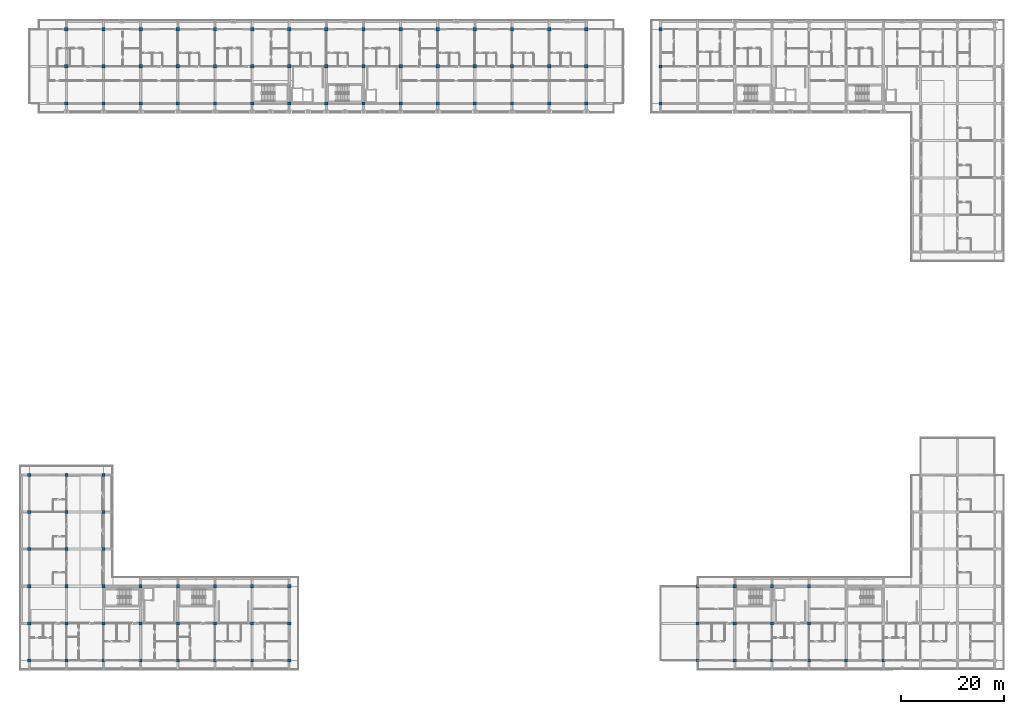
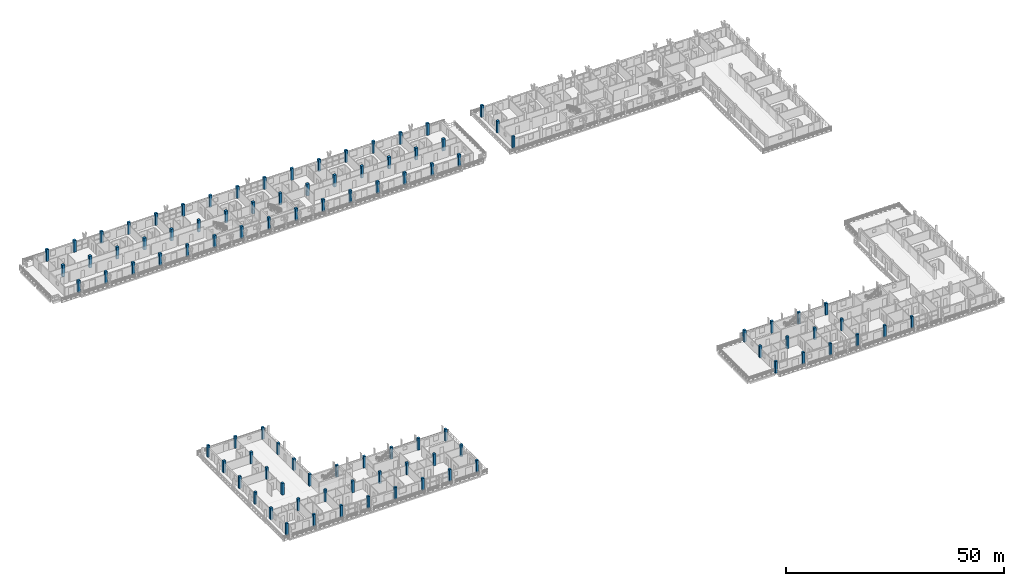
# One storey, part 1 of 75: 95 columns.
"""IFC4 building model written with IfcOpenShell, lengths in metres."""

from ifc_helpers import new_model, si_unit, direction, frame, origin, origin_2d, place, context, subcontext, project, spatial, rectangle, extrude, material, material_profile, profile_set, type_object, element, save


model = new_model("IFC4")

# Units and contexts
model_context = context("Model", 3, precision=1e-05, world=origin(), true_north=direction((0.0, 1.0)))
body_context = subcontext(model_context, "Body", "Model", "MODEL_VIEW")
ifc_project = project(units=[si_unit("LENGTHUNIT", "METRE"), si_unit("AREAUNIT", "SQUARE_METRE"), si_unit("VOLUMEUNIT", "CUBIC_METRE"), si_unit("PLANEANGLEUNIT", "RADIAN"), si_unit("MASSUNIT", "GRAM", prefix="KILO")], contexts=[model_context])

# Site, building, storey
site_placement = place(None, origin())
site = spatial("IfcSite", under=ifc_project, at=site_placement, CompositionType="ELEMENT")
building_placement = place(site_placement, origin())
building = spatial("IfcBuilding", under=site, at=building_placement, Name="Suanplinth Sawtooth Commons", CompositionType="ELEMENT")
storey_placement = place(building_placement, frame((0.0, 0.0, 18.60009765625)))
storey = spatial("IfcBuildingStorey", under=building, at=storey_placement, Name="L05", CompositionType="ELEMENT", Elevation=18.60009765625)

# Columns
ifc_material = material(Name="Precast concrete C40/50", Category="concrete")
ifc_material_profile_1 = material_profile(ifc_material, rectangle(XDim=0.64990234375, YDim=0.64990234375, at=origin_2d()), Name="PC-COL 650x650")
ifc_profile_set_1 = profile_set([ifc_material_profile_1], Name="Precast concrete C40/50")
column_type_1 = type_object("IfcColumnType", Name="C-03", PredefinedType="COLUMN", material=ifc_profile_set_1)
for number, where, z_axis, x_axis, name in (
    (1, (7.199951171875, 108.0, 0.0), (0.0, 0.0, 1.0), (1.0, 0.0, 0.0), "Column L05 2/R"),
    (2, (7.199951171875, 115.199951171875, 0.0), (0.0, 0.0, 1.0), (1.0, 0.0, 0.0), "Column L05 2/S"),
    (3, (7.199951171875, 122.39990234375, 0.0), (0.0, 0.0, 1.0), (1.0, 0.0, 0.0), "Column L05 2/T"),
    (4, (14.39990234375, 108.0, 0.0), (0.0, 0.0, 1.0), (1.0, 0.0, 0.0), "Column L05 3/R"),
    (5, (14.39990234375, 115.199951171875, 0.0), (0.0, 0.0, 1.0), (1.0, 0.0, 0.0), "Column L05 3/S"),
    (6, (14.39990234375, 122.39990234375, 0.0), (0.0, 0.0, 1.0), (1.0, 0.0, 0.0), "Column L05 3/T"),
    (7, (21.60009765625, 108.0, 0.0), (0.0, 0.0, 1.0), (1.0, 0.0, 0.0), "Column L05 4/R"),
    (8, (21.60009765625, 115.199951171875, 0.0), (0.0, 0.0, 1.0), (1.0, 0.0, 0.0), "Column L05 4/S"),
    (9, (21.60009765625, 122.39990234375, 0.0), (0.0, 0.0, 1.0), (1.0, 0.0, 0.0), "Column L05 4/T"),
    (10, (28.800048828125, 108.0, 0.0), (0.0, 0.0, 1.0), (1.0, 0.0, 0.0), "Column L05 5/R"),
    (11, (28.800048828125, 115.199951171875, 0.0), (0.0, 0.0, 1.0), (1.0, 0.0, 0.0), "Column L05 5/S"),
    (12, (28.800048828125, 122.39990234375, 0.0), (0.0, 0.0, 1.0), (1.0, 0.0, 0.0), "Column L05 5/T"),
    (13, (36.0, 108.0, 0.0), (0.0, 0.0, 1.0), (1.0, 0.0, 0.0), "Column L05 6/R"),
    (14, (36.0, 115.199951171875, 0.0), (0.0, 0.0, 1.0), (1.0, 0.0, 0.0), "Column L05 6/S"),
    (15, (36.0, 122.39990234375, 0.0), (0.0, 0.0, 1.0), (1.0, 0.0, 0.0), "Column L05 6/T"),
    (16, (43.199951171875, 108.0, 0.0), (0.0, 0.0, 1.0), (1.0, 0.0, 0.0), "Column L05 7/R"),
    (17, (43.199951171875, 115.199951171875, 0.0), (0.0, 0.0, 1.0), (1.0, 0.0, 0.0), "Column L05 7/S"),
    (18, (43.199951171875, 122.39990234375, 0.0), (0.0, 0.0, 1.0), (1.0, 0.0, 0.0), "Column L05 7/T"),
    (19, (50.39990234375, 108.0, 0.0), (0.0, 0.0, 1.0), (1.0, 0.0, 0.0), "Column L05 8/R"),
    (20, (50.39990234375, 115.199951171875, 0.0), (0.0, 0.0, 1.0), (1.0, 0.0, 0.0), "Column L05 8/S"),
    (21, (50.39990234375, 122.39990234375, 0.0), (0.0, 0.0, 1.0), (1.0, 0.0, 0.0), "Column L05 8/T"),
    (22, (57.60009765625, 108.0, 0.0), (0.0, 0.0, 1.0), (1.0, 0.0, 0.0), "Column L05 9/R"),
    (23, (57.60009765625, 115.199951171875, 0.0), (0.0, 0.0, 1.0), (1.0, 0.0, 0.0), "Column L05 9/S"),
    (24, (57.60009765625, 122.39990234375, 0.0), (0.0, 0.0, 1.0), (1.0, 0.0, 0.0), "Column L05 9/T"),
    (25, (64.800048828125, 108.0, 0.0), (0.0, 0.0, 1.0), (1.0, 0.0, 0.0), "Column L05 10/R"),
    (26, (64.800048828125, 115.199951171875, 0.0), (0.0, 0.0, 1.0), (1.0, 0.0, 0.0), "Column L05 10/S"),
    (27, (64.800048828125, 122.39990234375, 0.0), (0.0, 0.0, 1.0), (1.0, 0.0, 0.0), "Column L05 10/T"),
    (28, (72.0, 108.0, 0.0), (0.0, 0.0, 1.0), (1.0, 0.0, 0.0), "Column L05 11/R"),
    (29, (72.0, 115.199951171875, 0.0), (0.0, 0.0, 1.0), (1.0, 0.0, 0.0), "Column L05 11/S"),
    (30, (72.0, 122.39990234375, 0.0), (0.0, 0.0, 1.0), (1.0, 0.0, 0.0), "Column L05 11/T"),
    (31, (79.199951171875, 108.0, 0.0), (0.0, 0.0, 1.0), (1.0, 0.0, 0.0), "Column L05 12/R"),
    (32, (79.199951171875, 115.199951171875, 0.0), (0.0, 0.0, 1.0), (1.0, 0.0, 0.0), "Column L05 12/S"),
    (33, (79.199951171875, 122.39990234375, 0.0), (0.0, 0.0, 1.0), (1.0, 0.0, 0.0), "Column L05 12/T"),
    (34, (86.39990234375, 108.0, 0.0), (0.0, 0.0, 1.0), (1.0, 0.0, 0.0), "Column L05 13/R"),
    (35, (86.39990234375, 115.199951171875, 0.0), (0.0, 0.0, 1.0), (1.0, 0.0, 0.0), "Column L05 13/S"),
    (36, (86.39990234375, 122.39990234375, 0.0), (0.0, 0.0, 1.0), (1.0, 0.0, 0.0), "Column L05 13/T"),
    (37, (93.60009765625, 108.0, 0.0), (0.0, 0.0, 1.0), (1.0, 0.0, 0.0), "Column L05 14/R"),
    (38, (93.60009765625, 115.199951171875, 0.0), (0.0, 0.0, 1.0), (1.0, 0.0, 0.0), "Column L05 14/S"),
    (39, (93.60009765625, 122.39990234375, 0.0), (0.0, 0.0, 1.0), (1.0, 0.0, 0.0), "Column L05 14/T"),
    (40, (100.800048828125, 108.0, 0.0), (0.0, 0.0, 1.0), (1.0, 0.0, 0.0), "Column L05 15/R"),
    (41, (100.800048828125, 115.199951171875, 0.0), (0.0, 0.0, 1.0), (1.0, 0.0, 0.0), "Column L05 15/S"),
    (42, (100.800048828125, 122.39990234375, 0.0), (0.0, 0.0, 1.0), (1.0, 0.0, 0.0), "Column L05 15/T"),
    (43, (108.0, 108.0, 0.0), (0.0, 0.0, 1.0), (1.0, 0.0, 0.0), "Column L05 16/R"),
    (44, (108.0, 115.199951171875, 0.0), (0.0, 0.0, 1.0), (1.0, 0.0, 0.0), "Column L05 16/S"),
    (45, (108.0, 122.39990234375, 0.0), (0.0, 0.0, 1.0), (1.0, 0.0, 0.0), "Column L05 16/T"),
):
    element("IfcColumn", number, at=place(storey_placement, frame(where, z_axis=z_axis, x_axis=x_axis)), inside=storey, type_object=column_type_1, Name=name, PredefinedType="COLUMN", context=body_context, shape_type="SweptSolid", body=[
        extrude(rectangle(XDim=0.64990234375, YDim=0.64990234375, at=origin_2d()), origin(), (0.0, 0.0, 1.0), 3.2998046875),
    ])
ifc_material_profile_2 = material_profile(ifc_material, rectangle(XDim=0.60009765625, YDim=0.60009765625, at=origin_2d()), Name="PC-COL 600x600")
ifc_profile_set_2 = profile_set([ifc_material_profile_2], Name="Precast concrete C40/50")
column_type_2 = type_object("IfcColumnType", Name="C-04", PredefinedType="COLUMN", material=ifc_profile_set_2)
for number, where, z_axis, x_axis, name in (
    (46, (0.0, 0.0, 0.0), (0.0, 0.0, 1.0), (1.0, 0.0, 0.0), "Column L05 1/A"),
    (47, (0.0, 7.199951171875, 0.0), (0.0, 0.0, 1.0), (1.0, 0.0, 0.0), "Column L05 1/B"),
    (48, (0.0, 14.39990234375, 0.0), (0.0, 0.0, 1.0), (1.0, 0.0, 0.0), "Column L05 1/C"),
    (49, (0.0, 21.60009765625, 0.0), (0.0, 0.0, 1.0), (1.0, 0.0, 0.0), "Column L05 1/D"),
    (50, (0.0, 28.800048828125, 0.0), (0.0, 0.0, 1.0), (1.0, 0.0, 0.0), "Column L05 1/E"),
    (51, (0.0, 36.0, 0.0), (0.0, 0.0, 1.0), (1.0, 0.0, 0.0), "Column L05 1/F"),
    (52, (7.199951171875, 0.0, 0.0), (0.0, 0.0, 1.0), (1.0, 0.0, 0.0), "Column L05 2/A"),
    (53, (7.199951171875, 7.199951171875, 0.0), (0.0, 0.0, 1.0), (1.0, 0.0, 0.0), "Column L05 2/B"),
    (54, (7.199951171875, 14.39990234375, 0.0), (0.0, 0.0, 1.0), (1.0, 0.0, 0.0), "Column L05 2/C"),
    (55, (7.199951171875, 21.60009765625, 0.0), (0.0, 0.0, 1.0), (1.0, 0.0, 0.0), "Column L05 2/D"),
    (56, (7.199951171875, 28.800048828125, 0.0), (0.0, 0.0, 1.0), (1.0, 0.0, 0.0), "Column L05 2/E"),
    (57, (7.199951171875, 36.0, 0.0), (0.0, 0.0, 1.0), (1.0, 0.0, 0.0), "Column L05 2/F"),
    (58, (14.39990234375, 0.0, 0.0), (0.0, 0.0, 1.0), (1.0, 0.0, 0.0), "Column L05 3/A"),
    (59, (14.39990234375, 7.199951171875, 0.0), (0.0, 0.0, 1.0), (1.0, 0.0, 0.0), "Column L05 3/B"),
    (60, (14.39990234375, 14.39990234375, 0.0), (0.0, 0.0, 1.0), (1.0, 0.0, 0.0), "Column L05 3/C"),
    (61, (14.39990234375, 21.60009765625, 0.0), (0.0, 0.0, 1.0), (1.0, 0.0, 0.0), "Column L05 3/D"),
    (62, (14.39990234375, 28.800048828125, 0.0), (0.0, 0.0, 1.0), (1.0, 0.0, 0.0), "Column L05 3/E"),
    (63, (14.39990234375, 36.0, 0.0), (0.0, 0.0, 1.0), (1.0, 0.0, 0.0), "Column L05 3/F"),
    (64, (21.60009765625, 0.0, 0.0), (0.0, 0.0, 1.0), (1.0, 0.0, 0.0), "Column L05 4/A"),
    (65, (21.60009765625, 7.199951171875, 0.0), (0.0, 0.0, 1.0), (1.0, 0.0, 0.0), "Column L05 4/B"),
    (66, (21.60009765625, 14.39990234375, 0.0), (0.0, 0.0, 1.0), (1.0, 0.0, 0.0), "Column L05 4/C"),
    (67, (28.800048828125, 0.0, 0.0), (0.0, 0.0, 1.0), (1.0, 0.0, 0.0), "Column L05 5/A"),
    (68, (28.800048828125, 7.199951171875, 0.0), (0.0, 0.0, 1.0), (1.0, 0.0, 0.0), "Column L05 5/B"),
    (69, (28.800048828125, 14.39990234375, 0.0), (0.0, 0.0, 1.0), (1.0, 0.0, 0.0), "Column L05 5/C"),
    (70, (36.0, 0.0, 0.0), (0.0, 0.0, 1.0), (1.0, 0.0, 0.0), "Column L05 6/A"),
    (71, (36.0, 7.199951171875, 0.0), (0.0, 0.0, 1.0), (1.0, 0.0, 0.0), "Column L05 6/B"),
    (72, (36.0, 14.39990234375, 0.0), (0.0, 0.0, 1.0), (1.0, 0.0, 0.0), "Column L05 6/C"),
    (73, (43.199951171875, 0.0, 0.0), (0.0, 0.0, 1.0), (1.0, 0.0, 0.0), "Column L05 7/A"),
    (74, (43.199951171875, 7.199951171875, 0.0), (0.0, 0.0, 1.0), (1.0, 0.0, 0.0), "Column L05 7/B"),
    (75, (43.199951171875, 14.39990234375, 0.0), (0.0, 0.0, 1.0), (1.0, 0.0, 0.0), "Column L05 7/C"),
    (76, (50.39990234375, 0.0, 0.0), (0.0, 0.0, 1.0), (1.0, 0.0, 0.0), "Column L05 8/A"),
    (77, (50.39990234375, 7.199951171875, 0.0), (0.0, 0.0, 1.0), (1.0, 0.0, 0.0), "Column L05 8/B"),
    (78, (50.39990234375, 14.39990234375, 0.0), (0.0, 0.0, 1.0), (1.0, 0.0, 0.0), "Column L05 8/C"),
    (79, (122.39990234375, 108.0, 0.0), (0.0, 0.0, 1.0), (1.0, 0.0, 0.0), "Column L05 18/R"),
    (80, (122.39990234375, 115.199951171875, 0.0), (0.0, 0.0, 1.0), (1.0, 0.0, 0.0), "Column L05 18/S"),
    (81, (122.39990234375, 122.39990234375, 0.0), (0.0, 0.0, 1.0), (1.0, 0.0, 0.0), "Column L05 18/T"),
    (82, (129.60009765625, 0.0, 0.0), (0.0, 0.0, 1.0), (1.0, 0.0, 0.0), "Column L05 19/A"),
    (83, (129.60009765625, 7.199951171875, 0.0), (0.0, 0.0, 1.0), (1.0, 0.0, 0.0), "Column L05 19/B"),
    (84, (129.60009765625, 14.39990234375, 0.0), (0.0, 0.0, 1.0), (1.0, 0.0, 0.0), "Column L05 19/C"),
    (85, (136.800048828125, 0.0, 0.0), (0.0, 0.0, 1.0), (1.0, 0.0, 0.0), "Column L05 20/A"),
    (86, (136.800048828125, 7.199951171875, 0.0), (0.0, 0.0, 1.0), (1.0, 0.0, 0.0), "Column L05 20/B"),
    (87, (136.800048828125, 14.39990234375, 0.0), (0.0, 0.0, 1.0), (1.0, 0.0, 0.0), "Column L05 20/C"),
    (88, (144.0, 0.0, 0.0), (0.0, 0.0, 1.0), (1.0, 0.0, 0.0), "Column L05 21/A"),
    (89, (144.0, 7.199951171875, 0.0), (0.0, 0.0, 1.0), (1.0, 0.0, 0.0), "Column L05 21/B"),
    (90, (144.0, 14.39990234375, 0.0), (0.0, 0.0, 1.0), (1.0, 0.0, 0.0), "Column L05 21/C"),
    (91, (151.199951171875, 0.0, 0.0), (0.0, 0.0, 1.0), (1.0, 0.0, 0.0), "Column L05 22/A"),
    (92, (151.199951171875, 7.199951171875, 0.0), (0.0, 0.0, 1.0), (1.0, 0.0, 0.0), "Column L05 22/B"),
    (93, (151.199951171875, 14.39990234375, 0.0), (0.0, 0.0, 1.0), (1.0, 0.0, 0.0), "Column L05 22/C"),
    (94, (158.39990234375, 0.0, 0.0), (0.0, 0.0, 1.0), (1.0, 0.0, 0.0), "Column L05 23/A"),
    (95, (165.60009765625, 0.0, 0.0), (0.0, 0.0, 1.0), (1.0, 0.0, 0.0), "Column L05 24/A"),
):
    element("IfcColumn", number, at=place(storey_placement, frame(where, z_axis=z_axis, x_axis=x_axis)), inside=storey, type_object=column_type_2, Name=name, PredefinedType="COLUMN", context=body_context, shape_type="SweptSolid", body=[
        extrude(rectangle(XDim=0.60009765625, YDim=0.60009765625, at=origin_2d()), origin(), (0.0, 0.0, 1.0), 3.2998046875),
    ])

save(model, "model.ifc")
